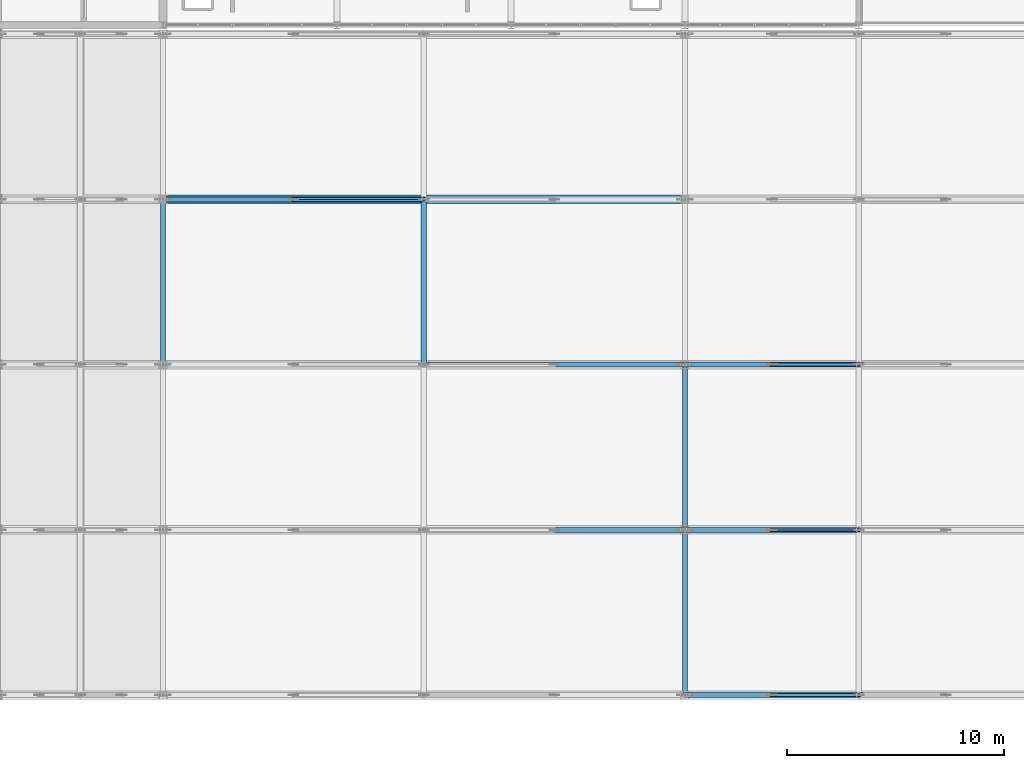
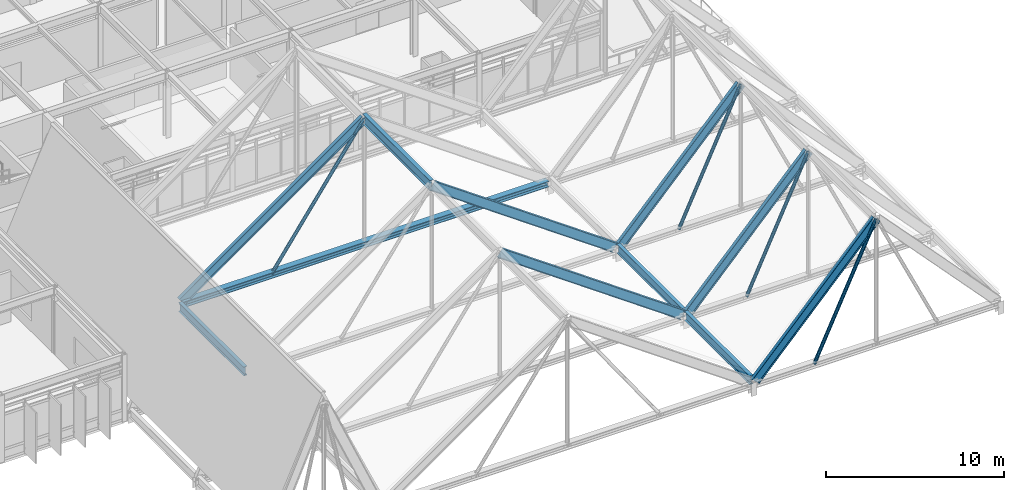
# One storey, part 53 of 100: 10 beams, 5 members.
"""IFC4 building model written with IfcOpenShell, lengths in metres."""

from ifc_helpers import new_model, si_unit, direction, frame, origin, origin_2d, place, context, subcontext, project, spatial, hollow_circle, i_section, extrude, material, material_profile, profile_set, type_object, element, save


model = new_model("IFC4")

# Units and contexts
model_context = context("Model", 3, precision=1e-05, world=origin(), true_north=direction((0.0, 1.0)))
body_context = subcontext(model_context, "Body", "Model", "MODEL_VIEW")
ifc_project = project(units=[si_unit("LENGTHUNIT", "METRE"), si_unit("AREAUNIT", "SQUARE_METRE"), si_unit("VOLUMEUNIT", "CUBIC_METRE"), si_unit("PLANEANGLEUNIT", "RADIAN"), si_unit("MASSUNIT", "GRAM", prefix="KILO")], contexts=[model_context])

# Site, building, storey
site_placement = place(None, origin())
site = spatial("IfcSite", under=ifc_project, at=site_placement, CompositionType="ELEMENT")
building_placement = place(site_placement, origin())
building = spatial("IfcBuilding", under=site, at=building_placement, Name="Zulena Civic Courthouse", CompositionType="ELEMENT")
storey_placement = place(building_placement, frame((0.0, 0.0, 20.39990234375)))
storey = spatial("IfcBuildingStorey", under=building, at=storey_placement, Name="L04", CompositionType="ELEMENT", Elevation=20.39990234375)

# Member
ifc_material_1 = material(Name="Steel ASTM A992 Grade 50", Category="steel")
ifc_material_profile_1 = material_profile(ifc_material_1, i_section(OverallWidth=0.40087890625, OverallDepth=0.39892578125, WebThickness=0.02490234375, FlangeThickness=0.03955078125, FilletRadius=0.01513671875, at=origin_2d()), Name="W14X211")
ifc_profile_set_1 = profile_set([ifc_material_profile_1], Name="Steel ASTM A992 Grade 50")
member_type_1 = type_object("IfcMemberType", Name="Chord_W14X211", PredefinedType="CHORD", material=ifc_profile_set_1)
member_1_placement = place(storey_placement, frame((132.139892578125, 22.800048828125, 0.536376953125), z_axis=(1.0, 0.0, 0.0), x_axis=(0.0, 1.0, 0.0)))
element("IfcMember", 1, at=member_1_placement, inside=storey, type_object=member_type_1, Name="mem:fold:tie:06:22.8", PredefinedType="CHORD", context=body_context, shape_type="SweptSolid", body=[
    extrude(i_section(OverallWidth=0.40087890625, OverallDepth=0.39892578125, WebThickness=0.02490234375, FlangeThickness=0.03955078125, FilletRadius=0.01513671875, at=origin_2d()), origin(), (0.0, 0.0, 1.0), 23.72021484375),
])

# Beams
ifc_material_profile_2 = material_profile(ifc_material_1, i_section(OverallWidth=0.22802734375, OverallDepth=0.60693359375, WebThickness=0.01123046875, FlangeThickness=0.017333984375, FilletRadius=0.0126953125, at=origin_2d()), Name="W24X76")
ifc_profile_set_2 = profile_set([ifc_material_profile_2], Name="Steel ASTM A992 Grade 50")
beam_type_1 = type_object("IfcBeamType", Name="RoofRafter_W24X76", PredefinedType="BEAM", material=ifc_profile_set_2)
beam_1_placement = place(storey_placement, frame((132.0, 15.340087890625, 0.485595703125), z_axis=(0.0, 1.0, 0.0), x_axis=(-1.0, 0.0, 0.0)))
element("IfcBeam", 2, at=beam_1_placement, inside=storey, type_object=beam_type_1, Name="beam:fold:val:L04:132.0:15.2", PredefinedType="BEAM", context=body_context, shape_type="SweptSolid", body=[
    extrude(i_section(OverallWidth=0.22802734375, OverallDepth=0.60693359375, WebThickness=0.01123046875, FlangeThickness=0.017333984375, FilletRadius=0.0126953125, at=origin_2d()), origin(), (0.0, 0.0, 1.0), 7.31982421875),
])
for number, where, z_axis, x_axis, name in (
    (3, (144.010009765625, 7.60009765625, 9.096435546875), (0.815826895682, 0.0, -0.578296183873), (0.0, 1.0, 0.0), "beam:fold:rafE:06:7.6"),
    (4, (144.010009765625, 15.199951171875, 9.096435546875), (0.815826895682, 0.0, -0.578296183873), (0.0, 1.0, 0.0), "beam:fold:rafE:06:15.2"),
    (5, (132.139892578125, 22.800048828125, 0.696533203125), (0.815826895682, 0.0, 0.578296183873), (0.0, 1.0, 0.0), "beam:fold:rafW:06:22.8"),
):
    element("IfcBeam", number, at=place(storey_placement, frame(where, z_axis=z_axis, x_axis=x_axis)), inside=storey, type_object=beam_type_1, Name=name, PredefinedType="BEAM", context=body_context, shape_type="SweptSolid", body=[
        extrude(i_section(OverallWidth=0.22802734375, OverallDepth=0.60693359375, WebThickness=0.01123046875, FlangeThickness=0.017333984375, FilletRadius=0.0126953125, at=origin_2d()), origin(), (0.0, 0.0, 1.0), 14.525146484375),
    ])
for number, where, z_axis, x_axis, name in (
    (6, (156.0, 0.139892578125, 0.696533203125), (0.0, 1.0, 0.0), (-1.0, 0.0, 0.0), "beam:fold:val:L04:156.0:0.0"),
    (7, (156.0, 7.739990234375, 0.696533203125), (0.0, 1.0, 0.0), (-1.0, 0.0, 0.0), "beam:fold:val:L04:156.0:7.6"),
):
    element("IfcBeam", number, at=place(storey_placement, frame(where, z_axis=z_axis, x_axis=x_axis)), inside=storey, type_object=beam_type_1, Name=name, PredefinedType="BEAM", context=body_context, shape_type="SweptSolid", body=[
        extrude(i_section(OverallWidth=0.22802734375, OverallDepth=0.60693359375, WebThickness=0.01123046875, FlangeThickness=0.017333984375, FilletRadius=0.0126953125, at=origin_2d()), origin(), (0.0, 0.0, 1.0), 7.320068359375),
    ])
for number, where, z_axis, x_axis, name in (
    (8, (156.139892578125, 0.0, 0.65625), (0.682781141332, 0.0, 0.730622962301), (0.0, 1.0, 0.0), "beam:fold:rafW:07:0.0"),
    (9, (156.139892578125, 7.60009765625, 0.65625), (0.682781141332, 0.0, 0.730622962301), (0.0, 1.0, 0.0), "beam:fold:rafW:07:7.6"),
    (10, (156.139892578125, 15.199951171875, 0.65625), (0.682781141332, 0.0, 0.730622962301), (0.0, 1.0, 0.0), "beam:fold:rafW:07:15.2"),
):
    element("IfcBeam", number, at=place(storey_placement, frame(where, z_axis=z_axis, x_axis=x_axis)), inside=storey, type_object=beam_type_1, Name=name, PredefinedType="BEAM", context=body_context, shape_type="SweptSolid", body=[
        extrude(i_section(OverallWidth=0.22802734375, OverallDepth=0.60693359375, WebThickness=0.01123046875, FlangeThickness=0.017333984375, FilletRadius=0.0126953125, at=origin_2d()), origin(), (0.0, 0.0, 1.0), 11.497314453125),
    ])
ifc_material_profile_3 = material_profile(ifc_material_1, i_section(OverallWidth=0.25390625, OverallDepth=0.68798828125, WebThickness=0.01318359375, FlangeThickness=0.02099609375, FilletRadius=0.0166015625, at=origin_2d()), Name="W27X102")
ifc_profile_set_3 = profile_set([ifc_material_profile_3], Name="Steel ASTM A992 Grade 50")
beam_type_2 = type_object("IfcBeamType", Name="RoofRafter_W27X102", PredefinedType="BEAM", material=ifc_profile_set_3)
beam_2_placement = place(storey_placement, frame((144.0, 15.219970703125, 9.096435546875), z_axis=(0.0, 1.0, 0.0), x_axis=(-1.0, 0.0, 0.0)))
element("IfcBeam", 11, at=beam_2_placement, inside=storey, type_object=beam_type_2, Name="beam:fold:ridge:06:15.2", PredefinedType="BEAM", context=body_context, shape_type="SweptSolid", body=[
    extrude(i_section(OverallWidth=0.25390625, OverallDepth=0.68798828125, WebThickness=0.01318359375, FlangeThickness=0.02099609375, FilletRadius=0.0166015625, at=origin_2d()), origin(), (0.0, 0.0, 1.0), 7.56005859375),
])

# Members
ifc_material_2 = material(Name="Steel ASTM A500 Grade C", Category="steel")
ifc_material_profile_4 = material_profile(ifc_material_2, hollow_circle(Radius=0.109619140625, WallThickness=0.0087890625, at=origin_2d()), Name="HSS8.625X0.375")
ifc_profile_set_4 = profile_set([ifc_material_profile_4], Name="Steel ASTM A500 Grade C")
member_type_2 = type_object("IfcMemberType", Name="RoofWeb_CHS8", PredefinedType="USERDEFINED", material=ifc_profile_set_4)
member_2_placement = place(storey_placement, frame((138.0, 22.800048828125, 0.536376953125), z_axis=(0.573973222061, 0.0, 0.81887406868), x_axis=(0.0, 1.0, 0.0)))
element("IfcMember", 12, at=member_2_placement, inside=storey, type_object=member_type_2, Name="mem:fold:diagW:06:22.8", ObjectType="ROOF TRUSS", PredefinedType="USERDEFINED", context=body_context, shape_type="SweptSolid", body=[
    extrude(hollow_circle(Radius=0.109619140625, WallThickness=0.0087890625, at=origin_2d()), origin(), (0.0, 0.0, 1.0), 10.453369140625),
])
for number, where, z_axis, x_axis, name in (
    (13, (160.0, 0.0, 0.496337890625), (0.423346552263, 0.0, 0.905967823208), (0.0, 1.0, 0.0), "mem:fold:diagW:07:0.0"),
    (14, (160.0, 7.60009765625, 0.496337890625), (0.423346552263, 0.0, 0.905967823208), (0.0, 1.0, 0.0), "mem:fold:diagW:07:7.6"),
    (15, (160.0, 15.199951171875, 0.496337890625), (0.423346552263, 0.0, 0.905967823208), (0.0, 1.0, 0.0), "mem:fold:diagW:07:15.2"),
):
    element("IfcMember", number, at=place(storey_placement, frame(where, z_axis=z_axis, x_axis=x_axis)), inside=storey, type_object=member_type_2, Name=name, ObjectType="ROOF TRUSS", PredefinedType="USERDEFINED", context=body_context, shape_type="SweptSolid", body=[
        extrude(hollow_circle(Radius=0.109619140625, WallThickness=0.0087890625, at=origin_2d()), origin(), (0.0, 0.0, 1.0), 9.448486328125),
    ])

save(model, "model.ifc")
